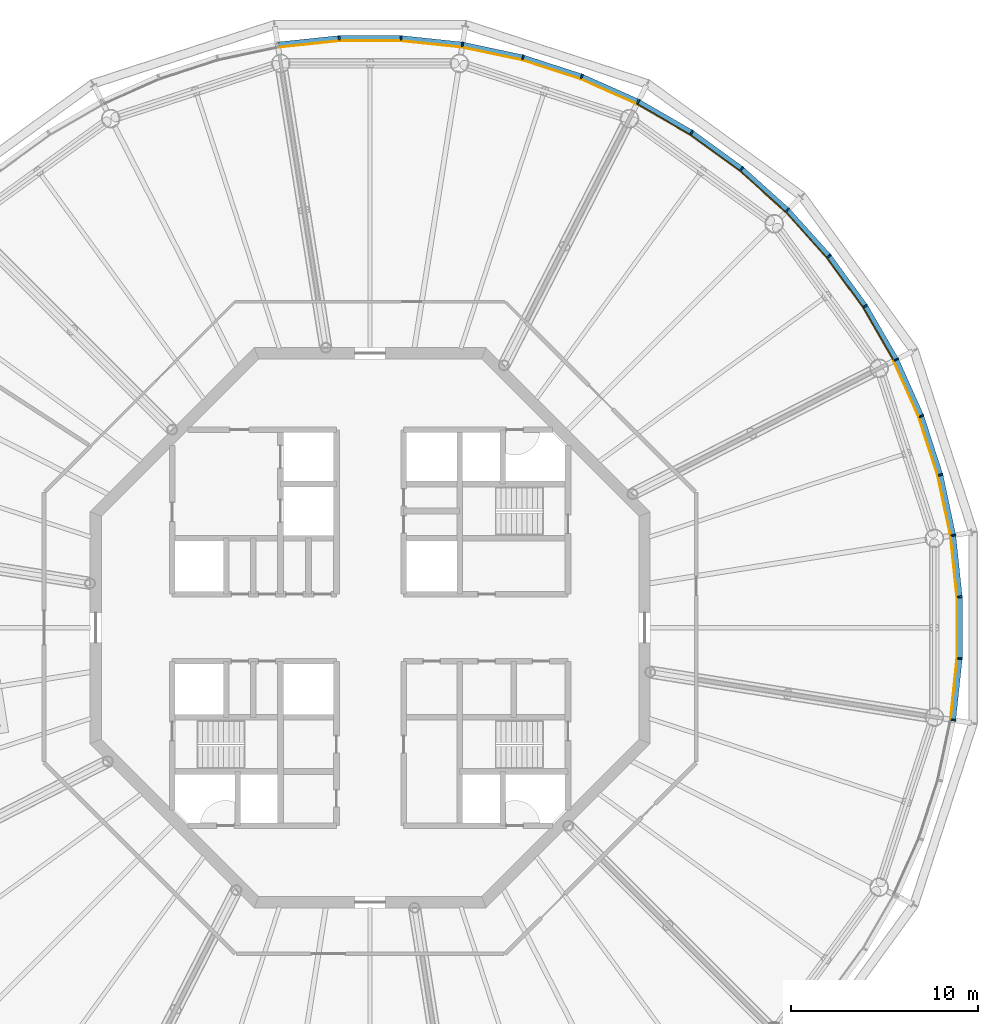
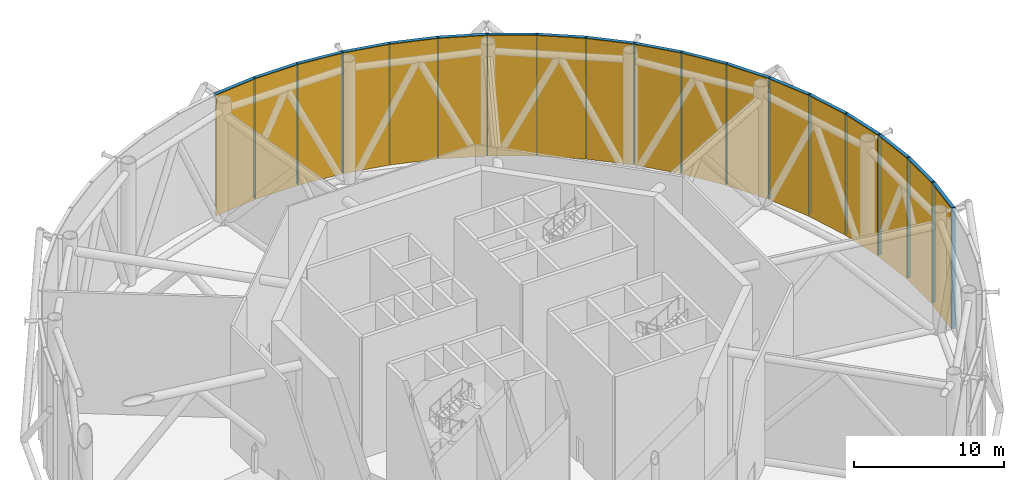
# One storey, part 21 of 23: 36 members, 6 curtain walls.
"""IFC4 building model written with IfcOpenShell, lengths in metres."""

from ifc_helpers import new_model, si_unit, direction, frame, origin, origin_2d, place, context, subcontext, project, spatial, polyline, rectangle, outline, extrude, material, layer, layer_set, material_profile, profile_set, type_object, element, aggregate, save


model = new_model("IFC4")

# Units and contexts
model_context = context("Model", 3, precision=1e-05, world=origin(), true_north=direction((0.0, 1.0)))
body_context = subcontext(model_context, "Body", "Model", "MODEL_VIEW")
ifc_project = project(units=[si_unit("LENGTHUNIT", "METRE"), si_unit("AREAUNIT", "SQUARE_METRE"), si_unit("VOLUMEUNIT", "CUBIC_METRE"), si_unit("PLANEANGLEUNIT", "RADIAN"), si_unit("MASSUNIT", "GRAM", prefix="KILO")], contexts=[model_context])

# Member
ifc_material_1 = material(Name="Anodised aluminium", Category="aluminium")
ifc_material_profile_1 = material_profile(ifc_material_1, rectangle(XDim=0.0849609375, YDim=0.260009765625, at=origin_2d()), Name="Mullion 85 x 260 mm anodised aluminium")
ifc_profile_set_1 = profile_set([ifc_material_profile_1], Name="Anodised aluminium")
member_type_1 = type_object("IfcMemberType", Name="Mullion 85 x 260 mm anodised aluminium", PredefinedType="MULLION", material=ifc_profile_set_1)
site_placement = place(None, origin())
building_placement = place(site_placement, origin())
storey_placement = place(building_placement, frame((0.0, 0.0, 392.0)))
member_1_placement = place(storey_placement, frame((121.240478515625, 84.947998046875, 0.0), z_axis=(0.0, 0.0, 1.0), x_axis=(-0.15643446504, 0.987688340595, 0.0)))
member_1 = element("IfcMember", 1, at=member_1_placement, type_object=member_type_1, Name="MULLION L91-00", PredefinedType="MULLION", context=body_context, shape_type="SweptSolid", body=[
    extrude(rectangle(XDim=0.0849609375, YDim=0.260009765625, at=origin_2d()), origin(), (0.0, 0.0, 1.0), 9.85009765625),
])

member_2_placement = place(storey_placement, frame((120.55224609375, 88.1865234375, 0.0), z_axis=(0.0, 0.0, 1.0), x_axis=(-0.258819045103, 0.965925826289, 0.0)))
member_2 = element("IfcMember", 2, at=member_2_placement, type_object=member_type_1, Name="MULLION L91-01", PredefinedType="MULLION", context=body_context, shape_type="SweptSolid", body=[
    extrude(rectangle(XDim=0.0849609375, YDim=0.260009765625, at=origin_2d()), origin(), (0.0, 0.0, 1.0), 9.85009765625),
])

member_3_placement = place(storey_placement, frame((119.529052734375, 91.335205078125, 0.0), z_axis=(0.0, 0.0, 1.0), x_axis=(-0.358367949545, 0.933580426497, 0.0)))
member_3 = element("IfcMember", 3, at=member_3_placement, type_object=member_type_1, Name="MULLION L91-02", PredefinedType="MULLION", context=body_context, shape_type="SweptSolid", body=[
    extrude(rectangle(XDim=0.0849609375, YDim=0.260009765625, at=origin_2d()), origin(), (0.0, 0.0, 1.0), 9.85009765625),
])

member_4_placement = place(storey_placement, frame((118.1826171875, 94.359619140625, 0.0), z_axis=(0.0, 0.0, 1.0), x_axis=(-0.45399049974, 0.891006524188, 0.0)))
member_4 = element("IfcMember", 4, at=member_4_placement, type_object=member_type_1, Name="MULLION L91-03", PredefinedType="MULLION", context=body_context, shape_type="SweptSolid", body=[
    extrude(rectangle(XDim=0.0849609375, YDim=0.260009765625, at=origin_2d()), origin(), (0.0, 0.0, 1.0), 9.85009765625),
])

member_5_placement = place(storey_placement, frame((116.527099609375, 97.22705078125, 0.0), z_axis=(0.0, 0.0, 1.0), x_axis=(-0.544639035015, 0.838670567945, 0.0)))
member_5 = element("IfcMember", 5, at=member_5_placement, type_object=member_type_1, Name="MULLION L91-04", PredefinedType="MULLION", context=body_context, shape_type="SweptSolid", body=[
    extrude(rectangle(XDim=0.0849609375, YDim=0.260009765625, at=origin_2d()), origin(), (0.0, 0.0, 1.0), 9.85009765625),
])

member_6_placement = place(storey_placement, frame((114.5810546875, 99.905517578125, 0.0), z_axis=(0.0, 0.0, 1.0), x_axis=(-0.62932039105, 0.777145961457, 0.0)))
member_6 = element("IfcMember", 6, at=member_6_placement, type_object=member_type_1, Name="MULLION L91-05", PredefinedType="MULLION", context=body_context, shape_type="SweptSolid", body=[
    extrude(rectangle(XDim=0.0849609375, YDim=0.260009765625, at=origin_2d()), origin(), (0.0, 0.0, 1.0), 9.85009765625),
])

member_7_placement = place(storey_placement, frame((112.36572265625, 102.36572265625, 0.0), z_axis=(0.0, 0.0, 1.0), x_axis=(-0.707106781187, 0.707106781187, 0.0)))
member_7 = element("IfcMember", 7, at=member_7_placement, type_object=member_type_1, Name="MULLION L91-06", PredefinedType="MULLION", context=body_context, shape_type="SweptSolid", body=[
    extrude(rectangle(XDim=0.0849609375, YDim=0.260009765625, at=origin_2d()), origin(), (0.0, 0.0, 1.0), 9.85009765625),
])

member_8_placement = place(storey_placement, frame((109.905517578125, 104.5810546875, 0.0), z_axis=(0.0, 0.0, 1.0), x_axis=(-0.777145961457, 0.62932039105, 0.0)))
member_8 = element("IfcMember", 8, at=member_8_placement, type_object=member_type_1, Name="MULLION L91-07", PredefinedType="MULLION", context=body_context, shape_type="SweptSolid", body=[
    extrude(rectangle(XDim=0.0849609375, YDim=0.260009765625, at=origin_2d()), origin(), (0.0, 0.0, 1.0), 9.85009765625),
])

member_9_placement = place(storey_placement, frame((107.22705078125, 106.527099609375, 0.0), z_axis=(0.0, 0.0, 1.0), x_axis=(-0.838670567945, 0.544639035015, 0.0)))
member_9 = element("IfcMember", 9, at=member_9_placement, type_object=member_type_1, Name="MULLION L91-08", PredefinedType="MULLION", context=body_context, shape_type="SweptSolid", body=[
    extrude(rectangle(XDim=0.0849609375, YDim=0.260009765625, at=origin_2d()), origin(), (0.0, 0.0, 1.0), 9.85009765625),
])

member_10_placement = place(storey_placement, frame((104.359619140625, 108.1826171875, 0.0), z_axis=(0.0, 0.0, 1.0), x_axis=(-0.891006524188, 0.45399049974, 0.0)))
member_10 = element("IfcMember", 10, at=member_10_placement, type_object=member_type_1, Name="MULLION L91-09", PredefinedType="MULLION", context=body_context, shape_type="SweptSolid", body=[
    extrude(rectangle(XDim=0.0849609375, YDim=0.260009765625, at=origin_2d()), origin(), (0.0, 0.0, 1.0), 9.85009765625),
])

member_11_placement = place(storey_placement, frame((101.335205078125, 109.529052734375, 0.0), z_axis=(0.0, 0.0, 1.0), x_axis=(-0.933580426497, 0.358367949545, 0.0)))
member_11 = element("IfcMember", 11, at=member_11_placement, type_object=member_type_1, Name="MULLION L91-10", PredefinedType="MULLION", context=body_context, shape_type="SweptSolid", body=[
    extrude(rectangle(XDim=0.0849609375, YDim=0.260009765625, at=origin_2d()), origin(), (0.0, 0.0, 1.0), 9.85009765625),
])

member_12_placement = place(storey_placement, frame((98.1865234375, 110.55224609375, 0.0), z_axis=(0.0, 0.0, 1.0), x_axis=(-0.965925826289, 0.258819045103, 0.0)))
member_12 = element("IfcMember", 12, at=member_12_placement, type_object=member_type_1, Name="MULLION L91-11", PredefinedType="MULLION", context=body_context, shape_type="SweptSolid", body=[
    extrude(rectangle(XDim=0.0849609375, YDim=0.260009765625, at=origin_2d()), origin(), (0.0, 0.0, 1.0), 9.85009765625),
])

member_13_placement = place(storey_placement, frame((94.947998046875, 111.240478515625, 0.0), z_axis=(0.0, 0.0, 1.0), x_axis=(-0.987688340595, 0.15643446504, 0.0)))
member_13 = element("IfcMember", 13, at=member_13_placement, type_object=member_type_1, Name="MULLION L91-12", PredefinedType="MULLION", context=body_context, shape_type="SweptSolid", body=[
    extrude(rectangle(XDim=0.0849609375, YDim=0.260009765625, at=origin_2d()), origin(), (0.0, 0.0, 1.0), 9.85009765625),
])

member_14_placement = place(storey_placement, frame((91.6552734375, 111.586669921875, 0.0), z_axis=(0.0, 0.0, 1.0), x_axis=(-0.998629534755, 0.052335956243, 0.0)))
member_14 = element("IfcMember", 14, at=member_14_placement, type_object=member_type_1, Name="MULLION L91-13", PredefinedType="MULLION", context=body_context, shape_type="SweptSolid", body=[
    extrude(rectangle(XDim=0.0849609375, YDim=0.260009765625, at=origin_2d()), origin(), (0.0, 0.0, 1.0), 9.85009765625),
])

member_15_placement = place(storey_placement, frame((88.3447265625, 111.586669921875, 0.0), z_axis=(0.0, 0.0, 1.0), x_axis=(-0.998629534755, -0.052335956243, 0.0)))
member_15 = element("IfcMember", 15, at=member_15_placement, type_object=member_type_1, Name="MULLION L91-14", PredefinedType="MULLION", context=body_context, shape_type="SweptSolid", body=[
    extrude(rectangle(XDim=0.0849609375, YDim=0.260009765625, at=origin_2d()), origin(), (0.0, 0.0, 1.0), 9.85009765625),
])

member_16_placement = place(storey_placement, frame((121.240478515625, 75.052001953125, 0.0), z_axis=(0.0, 0.0, 1.0), x_axis=(0.15643446504, 0.987688340595, 0.0)))
member_16 = element("IfcMember", 16, at=member_16_placement, type_object=member_type_1, Name="MULLION L91-57", PredefinedType="MULLION", context=body_context, shape_type="SweptSolid", body=[
    extrude(rectangle(XDim=0.0849609375, YDim=0.260009765625, at=origin_2d()), origin(), (0.0, 0.0, 1.0), 9.85009765625),
])

member_17_placement = place(storey_placement, frame((121.586669921875, 78.3447265625, 0.0), z_axis=(0.0, 0.0, 1.0), x_axis=(0.052335956243, 0.998629534755, 0.0)))
member_17 = element("IfcMember", 17, at=member_17_placement, type_object=member_type_1, Name="MULLION L91-58", PredefinedType="MULLION", context=body_context, shape_type="SweptSolid", body=[
    extrude(rectangle(XDim=0.0849609375, YDim=0.260009765625, at=origin_2d()), origin(), (0.0, 0.0, 1.0), 9.85009765625),
])

member_18_placement = place(storey_placement, frame((121.586669921875, 81.6552734375, 0.0), z_axis=(0.0, 0.0, 1.0), x_axis=(-0.052335956243, 0.998629534755, 0.0)))
member_18 = element("IfcMember", 18, at=member_18_placement, type_object=member_type_1, Name="MULLION L91-59", PredefinedType="MULLION", context=body_context, shape_type="SweptSolid", body=[
    extrude(rectangle(XDim=0.0849609375, YDim=0.260009765625, at=origin_2d()), origin(), (0.0, 0.0, 1.0), 9.85009765625),
])

ifc_material_2 = material(Name="Anodised aluminium", Category="aluminium")
ifc_material_profile_2 = material_profile(ifc_material_2, rectangle(XDim=0.260009765625, YDim=0.22998046875, at=origin_2d()), Name="Transom 230 x 260 mm anodised aluminium")
ifc_profile_set_2 = profile_set([ifc_material_profile_2], Name="Anodised aluminium")
member_type_2 = type_object("IfcMemberType", Name="Transom 230 x 260 mm anodised aluminium", PredefinedType="USERDEFINED", material=ifc_profile_set_2)
member_19_placement = place(storey_placement, frame((121.23046875, 84.996337890625, 9.735107421875), z_axis=(-0.207883300291, 0.978153634896, 0.0), x_axis=(-0.978153634896, -0.207883300291, 0.0)))
member_19 = element("IfcMember", 19, at=member_19_placement, type_object=member_type_2, Name="TRANSOM L91-00", ObjectType="TRANSOM", PredefinedType="USERDEFINED", context=body_context, shape_type="SweptSolid", body=[
    extrude(rectangle(XDim=0.260009765625, YDim=0.22998046875, at=origin_2d()), origin(), (0.0, 0.0, 1.0), 3.2119140625),
])

member_20_placement = place(storey_placement, frame((120.537109375, 88.2333984375, 9.735107421875), z_axis=(-0.309036232585, 0.951050265207, 0.0), x_axis=(-0.951050265207, -0.309036232585, 0.0)))
member_20 = element("IfcMember", 20, at=member_20_placement, type_object=member_type_2, Name="TRANSOM L91-01", ObjectType="TRANSOM", PredefinedType="USERDEFINED", context=body_context, shape_type="SweptSolid", body=[
    extrude(rectangle(XDim=0.260009765625, YDim=0.22998046875, at=origin_2d()), origin(), (0.0, 0.0, 1.0), 3.212158203125),
])

member_21_placement = place(storey_placement, frame((119.50927734375, 91.38037109375, 9.735107421875), z_axis=(-0.406787162038, 0.913522963478, 0.0), x_axis=(-0.913522963478, -0.406787162038, 0.0)))
member_21 = element("IfcMember", 21, at=member_21_placement, type_object=member_type_2, Name="TRANSOM L91-02", ObjectType="TRANSOM", PredefinedType="USERDEFINED", context=body_context, shape_type="SweptSolid", body=[
    extrude(rectangle(XDim=0.260009765625, YDim=0.22998046875, at=origin_2d()), origin(), (0.0, 0.0, 1.0), 3.212158203125),
])

member_22_placement = place(storey_placement, frame((118.157958984375, 94.402587890625, 9.735107421875), z_axis=(-0.499981246758, 0.866036230703, 0.0), x_axis=(-0.866036230703, -0.499981246758, 0.0)))
member_22 = element("IfcMember", 22, at=member_22_placement, type_object=member_type_2, Name="TRANSOM L91-03", ObjectType="TRANSOM", PredefinedType="USERDEFINED", context=body_context, shape_type="SweptSolid", body=[
    extrude(rectangle(XDim=0.260009765625, YDim=0.22998046875, at=origin_2d()), origin(), (0.0, 0.0, 1.0), 3.2119140625),
])

member_23_placement = place(storey_placement, frame((116.498291015625, 97.266845703125, 9.735107421875), z_axis=(-0.587733257303, 0.809054768394, 0.0), x_axis=(-0.809054768394, -0.587733257303, 0.0)))
member_23 = element("IfcMember", 23, at=member_23_placement, type_object=member_type_2, Name="TRANSOM L91-04", ObjectType="TRANSOM", PredefinedType="USERDEFINED", context=body_context, shape_type="SweptSolid", body=[
    extrude(rectangle(XDim=0.260009765625, YDim=0.22998046875, at=origin_2d()), origin(), (0.0, 0.0, 1.0), 3.212158203125),
])

member_24_placement = place(storey_placement, frame((114.54833984375, 99.942138671875, 9.735107421875), z_axis=(-0.669124279055, 0.743150522558, 0.0), x_axis=(-0.743150522558, -0.669124279055, 0.0)))
member_24 = element("IfcMember", 24, at=member_24_placement, type_object=member_type_2, Name="TRANSOM L91-05", ObjectType="TRANSOM", PredefinedType="USERDEFINED", context=body_context, shape_type="SweptSolid", body=[
    extrude(rectangle(XDim=0.260009765625, YDim=0.22998046875, at=origin_2d()), origin(), (0.0, 0.0, 1.0), 3.212158203125),
])

member_25_placement = place(storey_placement, frame((112.329345703125, 102.39892578125, 9.735107421875), z_axis=(-0.743150522558, 0.669124279055, 0.0), x_axis=(-0.669124279055, -0.743150522558, 0.0)))
member_25 = element("IfcMember", 25, at=member_25_placement, type_object=member_type_2, Name="TRANSOM L91-06", ObjectType="TRANSOM", PredefinedType="USERDEFINED", context=body_context, shape_type="SweptSolid", body=[
    extrude(rectangle(XDim=0.260009765625, YDim=0.22998046875, at=origin_2d()), origin(), (0.0, 0.0, 1.0), 3.212158203125),
])

member_26_placement = place(storey_placement, frame((109.86572265625, 104.6103515625, 9.735107421875), z_axis=(-0.809054768394, 0.587733257303, 0.0), x_axis=(-0.587733257303, -0.809054768394, 0.0)))
member_26 = element("IfcMember", 26, at=member_26_placement, type_object=member_type_2, Name="TRANSOM L91-07", ObjectType="TRANSOM", PredefinedType="USERDEFINED", context=body_context, shape_type="SweptSolid", body=[
    extrude(rectangle(XDim=0.260009765625, YDim=0.22998046875, at=origin_2d()), origin(), (0.0, 0.0, 1.0), 3.212158203125),
])

member_27_placement = place(storey_placement, frame((107.184326171875, 106.552001953125, 9.735107421875), z_axis=(-0.866036230703, 0.499981246758, 0.0), x_axis=(-0.499981246758, -0.866036230703, 0.0)))
member_27 = element("IfcMember", 27, at=member_27_placement, type_object=member_type_2, Name="TRANSOM L91-08", ObjectType="TRANSOM", PredefinedType="USERDEFINED", context=body_context, shape_type="SweptSolid", body=[
    extrude(rectangle(XDim=0.260009765625, YDim=0.22998046875, at=origin_2d()), origin(), (0.0, 0.0, 1.0), 3.2119140625),
])

member_28_placement = place(storey_placement, frame((104.314697265625, 108.20263671875, 9.735107421875), z_axis=(-0.913522963478, 0.406787162038, 0.0), x_axis=(-0.406787162038, -0.913522963478, 0.0)))
member_28 = element("IfcMember", 28, at=member_28_placement, type_object=member_type_2, Name="TRANSOM L91-09", ObjectType="TRANSOM", PredefinedType="USERDEFINED", context=body_context, shape_type="SweptSolid", body=[
    extrude(rectangle(XDim=0.260009765625, YDim=0.22998046875, at=origin_2d()), origin(), (0.0, 0.0, 1.0), 3.212158203125),
])

member_29_placement = place(storey_placement, frame((101.288330078125, 109.54443359375, 9.735107421875), z_axis=(-0.951050265207, 0.309036232585, 0.0), x_axis=(-0.309036232585, -0.951050265207, 0.0)))
member_29 = element("IfcMember", 29, at=member_29_placement, type_object=member_type_2, Name="TRANSOM L91-10", ObjectType="TRANSOM", PredefinedType="USERDEFINED", context=body_context, shape_type="SweptSolid", body=[
    extrude(rectangle(XDim=0.260009765625, YDim=0.22998046875, at=origin_2d()), origin(), (0.0, 0.0, 1.0), 3.212158203125),
])

member_30_placement = place(storey_placement, frame((98.13818359375, 110.562744140625, 9.735107421875), z_axis=(-0.978153634896, 0.207883300291, 0.0), x_axis=(-0.207883300291, -0.978153634896, 0.0)))
member_30 = element("IfcMember", 30, at=member_30_placement, type_object=member_type_2, Name="TRANSOM L91-11", ObjectType="TRANSOM", PredefinedType="USERDEFINED", context=body_context, shape_type="SweptSolid", body=[
    extrude(rectangle(XDim=0.260009765625, YDim=0.22998046875, at=origin_2d()), origin(), (0.0, 0.0, 1.0), 3.2119140625),
])

member_31_placement = place(storey_placement, frame((94.89892578125, 111.245849609375, 9.735107421875), z_axis=(-0.994516275611, 0.104581917863, 0.0), x_axis=(-0.104581917863, -0.994516275611, 0.0)))
member_31 = element("IfcMember", 31, at=member_31_placement, type_object=member_type_2, Name="TRANSOM L91-12", ObjectType="TRANSOM", PredefinedType="USERDEFINED", context=body_context, shape_type="SweptSolid", body=[
    extrude(rectangle(XDim=0.260009765625, YDim=0.22998046875, at=origin_2d()), origin(), (0.0, 0.0, 1.0), 3.212158203125),
])

member_32_placement = place(storey_placement, frame((91.606201171875, 111.5869140625, 9.735107421875), z_axis=(-1.0, 0.0, 0.0), x_axis=(0.0, -1.0, 0.0)))
member_32 = element("IfcMember", 32, at=member_32_placement, type_object=member_type_2, Name="TRANSOM L91-13", ObjectType="TRANSOM", PredefinedType="USERDEFINED", context=body_context, shape_type="SweptSolid", body=[
    extrude(rectangle(XDim=0.260009765625, YDim=0.22998046875, at=origin_2d()), origin(), (0.0, 0.0, 1.0), 3.21240234375),
])

member_33_placement = place(storey_placement, frame((88.295654296875, 111.581787109375, 9.735107421875), z_axis=(-0.994516275611, -0.104581917863, 0.0), x_axis=(0.104581917863, -0.994516275611, 0.0)))
member_33 = element("IfcMember", 33, at=member_33_placement, type_object=member_type_2, Name="TRANSOM L91-14", ObjectType="TRANSOM", PredefinedType="USERDEFINED", context=body_context, shape_type="SweptSolid", body=[
    extrude(rectangle(XDim=0.260009765625, YDim=0.22998046875, at=origin_2d()), origin(), (0.0, 0.0, 1.0), 3.212158203125),
])

member_34_placement = place(storey_placement, frame((121.245849609375, 75.10107421875, 9.735107421875), z_axis=(0.104581917863, 0.994516275611, 0.0), x_axis=(-0.994516275611, 0.104581917863, 0.0)))
member_34 = element("IfcMember", 34, at=member_34_placement, type_object=member_type_2, Name="TRANSOM L91-57", ObjectType="TRANSOM", PredefinedType="USERDEFINED", context=body_context, shape_type="SweptSolid", body=[
    extrude(rectangle(XDim=0.260009765625, YDim=0.22998046875, at=origin_2d()), origin(), (0.0, 0.0, 1.0), 3.212158203125),
])

member_35_placement = place(storey_placement, frame((121.5869140625, 78.393798828125, 9.735107421875), z_axis=(0.0, 1.0, 0.0), x_axis=(-1.0, 0.0, 0.0)))
member_35 = element("IfcMember", 35, at=member_35_placement, type_object=member_type_2, Name="TRANSOM L91-58", ObjectType="TRANSOM", PredefinedType="USERDEFINED", context=body_context, shape_type="SweptSolid", body=[
    extrude(rectangle(XDim=0.260009765625, YDim=0.22998046875, at=origin_2d()), origin(), (0.0, 0.0, 1.0), 3.21240234375),
])

member_36_placement = place(storey_placement, frame((121.581787109375, 81.704345703125, 9.735107421875), z_axis=(-0.104581917863, 0.994516275611, 0.0), x_axis=(-0.994516275611, -0.104581917863, 0.0)))
member_36 = element("IfcMember", 36, at=member_36_placement, type_object=member_type_2, Name="TRANSOM L91-59", ObjectType="TRANSOM", PredefinedType="USERDEFINED", context=body_context, shape_type="SweptSolid", body=[
    extrude(rectangle(XDim=0.260009765625, YDim=0.22998046875, at=origin_2d()), origin(), (0.0, 0.0, 1.0), 3.212158203125),
])

# Site, building, storey
site = spatial("IfcSite", under=ifc_project, at=site_placement, CompositionType="ELEMENT")
building = spatial("IfcBuilding", under=site, at=building_placement, Name="Entoto Ring Tower", CompositionType="ELEMENT")
storey = spatial("IfcBuildingStorey", under=building, at=storey_placement, Name="L91", CompositionType="ELEMENT", Elevation=392.0)

# Curtain wall
ifc_material_3 = material(Name="Clear low-iron glass", Category="glass")
ifc_layer = layer(ifc_material_3, 0.048095703125)
ifc_layer_set = layer_set([ifc_layer], Name="Clear low-iron glass")
curtain_wall_type = type_object("IfcCurtainWallType", Name="Curtain wall system CW9 glazing 48 mm", PredefinedType="NOTDEFINED", material=ifc_layer_set)
curtain_wall_1_placement = place(storey_placement, origin())
curtain_wall_1 = element("IfcCurtainWall", 37, at=curtain_wall_1_placement, inside=storey, type_object=curtain_wall_type, Name="CW9 L91-01", PredefinedType="NOTDEFINED", context=body_context, shape_type="SweptSolid", body=[
    extrude(outline(polyline([(121.1123046875, 84.927734375), (120.4267578125, 88.15283203125), (119.40771484375, 91.28857421875), (118.066650390625, 94.30078125), (118.02392578125, 94.27880859375), (119.36279296875, 91.271484375), (120.380126953125, 88.140380859375), (121.064697265625, 84.920166015625), (121.1123046875, 84.927734375)])), origin(), (0.0, 0.0, 1.0), 9.85009765625),
])

aggregate(curtain_wall_1, [member_1, member_2, member_3, member_19, member_20, member_21])

curtain_wall_2_placement = place(storey_placement, origin())
curtain_wall_2 = element("IfcCurtainWall", 38, at=curtain_wall_2_placement, inside=storey, type_object=curtain_wall_type, Name="CW9 L91-02", PredefinedType="NOTDEFINED", context=body_context, shape_type="SweptSolid", body=[
    extrude(outline(polyline([(118.066650390625, 94.30078125), (116.418212890625, 97.15625), (114.47998046875, 99.823486328125), (112.27392578125, 102.27392578125), (112.239990234375, 102.239990234375), (114.442626953125, 99.79345703125), (116.3779296875, 97.1298828125), (118.02392578125, 94.27880859375), (118.066650390625, 94.30078125)])), origin(), (0.0, 0.0, 1.0), 9.85009765625),
])

aggregate(curtain_wall_2, [member_4, member_5, member_6, member_22, member_23, member_24])

curtain_wall_3_placement = place(storey_placement, origin())
curtain_wall_3 = element("IfcCurtainWall", 39, at=curtain_wall_3_placement, inside=storey, type_object=curtain_wall_type, Name="CW9 L91-03", PredefinedType="NOTDEFINED", context=body_context, shape_type="SweptSolid", body=[
    extrude(outline(polyline([(112.27392578125, 102.27392578125), (109.823486328125, 104.47998046875), (107.15625, 106.418212890625), (104.30078125, 108.066650390625), (104.27880859375, 108.02392578125), (107.1298828125, 106.3779296875), (109.79345703125, 104.442626953125), (112.239990234375, 102.239990234375), (112.27392578125, 102.27392578125)])), origin(), (0.0, 0.0, 1.0), 9.85009765625),
])

aggregate(curtain_wall_3, [member_7, member_8, member_9, member_25, member_26, member_27])

curtain_wall_4_placement = place(storey_placement, origin())
curtain_wall_4 = element("IfcCurtainWall", 40, at=curtain_wall_4_placement, inside=storey, type_object=curtain_wall_type, Name="CW9 L91-04", PredefinedType="NOTDEFINED", context=body_context, shape_type="SweptSolid", body=[
    extrude(outline(polyline([(104.30078125, 108.066650390625), (101.28857421875, 109.40771484375), (98.15283203125, 110.4267578125), (94.927734375, 111.1123046875), (94.920166015625, 111.064697265625), (98.140380859375, 110.380126953125), (101.271484375, 109.36279296875), (104.27880859375, 108.02392578125), (104.30078125, 108.066650390625)])), origin(), (0.0, 0.0, 1.0), 9.85009765625),
])

aggregate(curtain_wall_4, [member_10, member_11, member_12, member_28, member_29, member_30])

curtain_wall_5_placement = place(storey_placement, origin())
curtain_wall_5 = element("IfcCurtainWall", 41, at=curtain_wall_5_placement, inside=storey, type_object=curtain_wall_type, Name="CW9 L91-05", PredefinedType="NOTDEFINED", context=body_context, shape_type="SweptSolid", body=[
    extrude(outline(polyline([(94.927734375, 111.1123046875), (91.648681640625, 111.456787109375), (88.351318359375, 111.456787109375), (85.072265625, 111.1123046875), (85.079833984375, 111.064697265625), (88.35400390625, 111.408935546875), (91.64599609375, 111.408935546875), (94.920166015625, 111.064697265625), (94.927734375, 111.1123046875)])), origin(), (0.0, 0.0, 1.0), 9.85009765625),
])

aggregate(curtain_wall_5, [member_13, member_14, member_15, member_31, member_32, member_33])

curtain_wall_6_placement = place(storey_placement, origin())
curtain_wall_6 = element("IfcCurtainWall", 42, at=curtain_wall_6_placement, inside=storey, type_object=curtain_wall_type, Name="CW9 L91-20", PredefinedType="NOTDEFINED", context=body_context, shape_type="SweptSolid", body=[
    extrude(outline(polyline([(121.1123046875, 75.072265625), (121.456787109375, 78.351318359375), (121.456787109375, 81.648681640625), (121.1123046875, 84.927734375), (121.064697265625, 84.920166015625), (121.408935546875, 81.64599609375), (121.408935546875, 78.35400390625), (121.064697265625, 75.079833984375), (121.1123046875, 75.072265625)])), origin(), (0.0, 0.0, 1.0), 9.85009765625),
])

aggregate(curtain_wall_6, [member_16, member_17, member_18, member_34, member_35, member_36])

save(model, "model.ifc")
